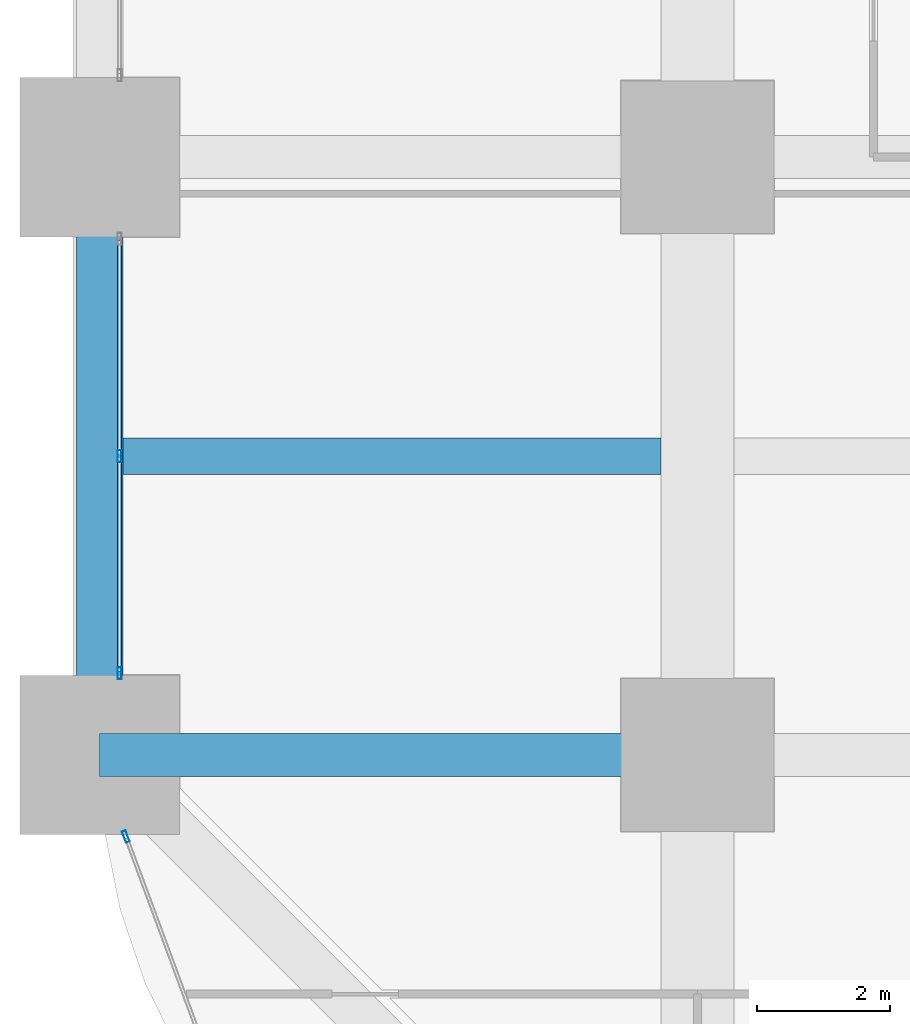
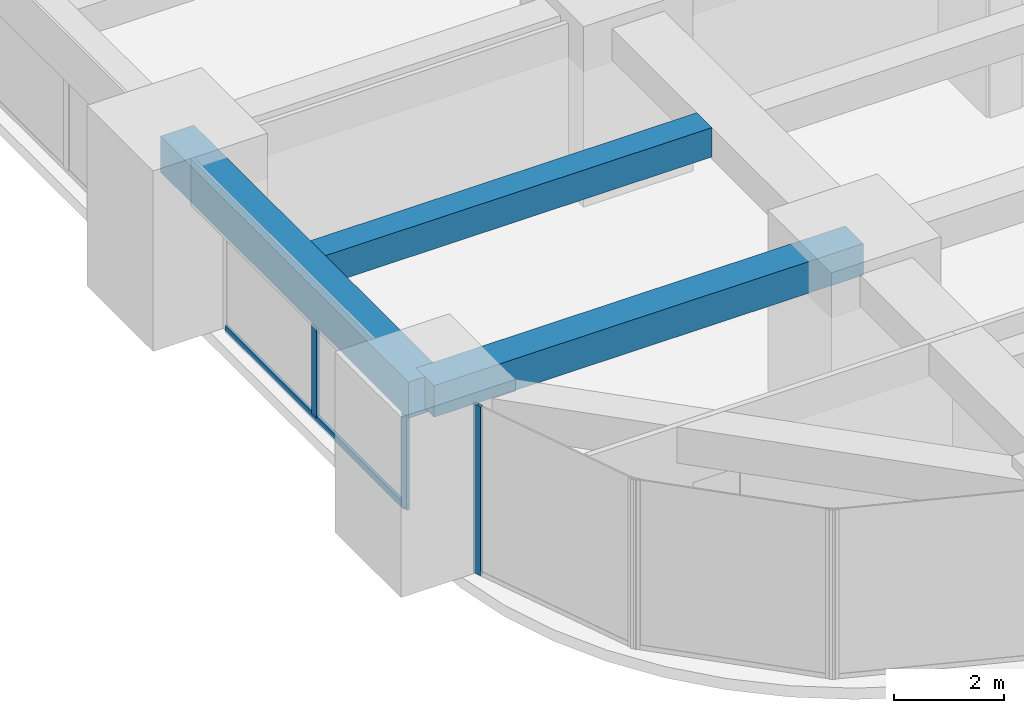
# One storey, part 4 of 45: 4 members, 3 beams, 2 elements without a shape of their own.
"""IFC4 building model written with IfcOpenShell, lengths in metres."""

from ifc_helpers import new_model, si_unit, direction, frame, origin, origin_2d, place, context, subcontext, project, spatial, rectangle, hollow_rectangle, extrude, material, material_profile, profile_set, type_object, element, aggregate, save


model = new_model("IFC4")

# Units and contexts
model_context = context("Model", 3, precision=1e-05, world=origin(), true_north=direction((0.0, 1.0)))
body_context = subcontext(model_context, "Body", "Model", "MODEL_VIEW")
ifc_project = project(units=[si_unit("LENGTHUNIT", "METRE"), si_unit("AREAUNIT", "SQUARE_METRE"), si_unit("VOLUMEUNIT", "CUBIC_METRE"), si_unit("PLANEANGLEUNIT", "RADIAN"), si_unit("MASSUNIT", "GRAM", prefix="KILO")], contexts=[model_context])

# Site, building, storey
site_placement = place(None, origin())
site = spatial("IfcSite", under=ifc_project, at=site_placement, CompositionType="ELEMENT")
building_placement = place(site_placement, origin())
building = spatial("IfcBuilding", under=site, at=building_placement, Name="Zorevar Civic Tower", CompositionType="ELEMENT")
storey_placement = place(building_placement, frame((0.0, 0.0, 47.800048828125)))
storey = spatial("IfcBuildingStorey", under=building, at=storey_placement, Name="L11", CompositionType="ELEMENT", Elevation=47.800048828125)

# Beams
ifc_material_1 = material(Name="Concrete C50/60", Category="concrete")
ifc_material_profile_1 = material_profile(ifc_material_1, rectangle(XDim=0.550048828125, YDim=0.64990234375, at=origin_2d()), Name="RC 550x650")
ifc_profile_set_1 = profile_set([ifc_material_profile_1], Name="Concrete C50/60")
beam_type_1 = type_object("IfcBeamType", Name="Beam RC 550x650", PredefinedType="BEAM", material=ifc_profile_set_1)
beam_1_placement = place(storey_placement, frame((0.35009765625, 13.5, 3.425048828125), z_axis=(1.0, 0.0, 0.0), x_axis=(0.0, 1.0, 0.0)))
element("IfcBeam", 1, at=beam_1_placement, inside=storey, type_object=beam_type_1, Name="Secondary beam L12", PredefinedType="BEAM", context=body_context, shape_type="SweptSolid", body=[
    extrude(rectangle(XDim=0.550048828125, YDim=0.64990234375, at=origin_2d()), origin(), (0.0, 0.0, 1.0), 8.099853515625),
])
ifc_material_2 = material(Name="Concrete C50/60", Category="concrete")
ifc_material_profile_2 = material_profile(ifc_material_2, rectangle(XDim=0.64990234375, YDim=0.699951171875, at=origin_2d()), Name="RC 650x700")
ifc_profile_set_2 = profile_set([ifc_material_profile_2], Name="Concrete C50/60")
beam_type_2 = type_object("IfcBeamType", Name="Beam RC 650x700", PredefinedType="BEAM", material=ifc_profile_set_2)
beam_2_placement = place(storey_placement, frame((0.0, 9.0, 3.39990234375), z_axis=(1.0, 0.0, 0.0), x_axis=(0.0, 1.0, 0.0)))
element("IfcBeam", 2, at=beam_2_placement, inside=storey, type_object=beam_type_2, Name="Girder L12", PredefinedType="BEAM", context=body_context, shape_type="SweptSolid", body=[
    extrude(rectangle(XDim=0.64990234375, YDim=0.699951171875, at=origin_2d()), origin(), (0.0, 0.0, 1.0), 9.0),
])

# Curtain wall, members
ifc_material_3 = material(Name="Dark grey solar-control glass in black aluminium frame", Category="aluminium")
curtain_wall_type = type_object("IfcCurtainWallType", Name="Curtain wall CW2 low zone", PredefinedType="NOTDEFINED", material=ifc_material_3)
curtain_wall_1_placement = place(storey_placement, origin())
curtain_wall_1 = element("IfcCurtainWall", 3, at=curtain_wall_1_placement, inside=storey, type_object=curtain_wall_type, Name="CW2 L11", PredefinedType="NOTDEFINED")
ifc_material_4 = material(Name="Aluminium, black anodised", Category="aluminium")
ifc_material_profile_3 = material_profile(ifc_material_4, hollow_rectangle(XDim=0.06005859375, YDim=0.179931640625, WallThickness=0.00390625, at=origin_2d()), Name="AL 180x60x4")
ifc_profile_set_3 = profile_set([ifc_material_profile_3], Name="Aluminium, black anodised")
member_type_1 = type_object("IfcMemberType", Name="CW2 mullion AL 180x60x4", PredefinedType="MULLION", material=ifc_profile_set_3)
member_1_placement = place(storey_placement, frame((0.300048828125, 10.22998046875, 0.0), z_axis=(0.0, 0.0, 1.0), x_axis=(-1.0, 0.0, 0.0)))
member_1 = element("IfcMember", 4, at=member_1_placement, type_object=member_type_1, Name="CW2 mullion 1", PredefinedType="MULLION", context=body_context, shape_type="SweptSolid", body=[
    extrude(hollow_rectangle(XDim=0.06005859375, YDim=0.179931640625, WallThickness=0.00390625, at=origin_2d()), origin(), (0.0, 0.0, 1.0), 2.949951171875),
])
member_2_placement = place(storey_placement, frame((0.300048828125, 13.5, 0.06005859375), z_axis=(0.0, 0.0, 1.0), x_axis=(-1.0, 0.0, 0.0)))
member_2 = element("IfcMember", 5, at=member_2_placement, type_object=member_type_1, Name="CW2 mullion 2", PredefinedType="MULLION", context=body_context, shape_type="SweptSolid", body=[
    extrude(hollow_rectangle(XDim=0.06005859375, YDim=0.179931640625, WallThickness=0.00390625, at=origin_2d()), origin(), (0.0, 0.0, 1.0), 2.889892578125),
])

# Curtain wall, member
curtain_wall_2_placement = place(storey_placement, origin())
curtain_wall_2 = element("IfcCurtainWall", 6, at=curtain_wall_2_placement, inside=storey, type_object=curtain_wall_type, Name="CW2 L11", PredefinedType="NOTDEFINED")
member_3_placement = place(storey_placement, frame((0.3935546875, 7.77197265625, 0.0), z_axis=(0.0, 0.0, 1.0), x_axis=(0.937974588163, 0.346704012033, 0.0)))
member_3 = element("IfcMember", 7, at=member_3_placement, type_object=member_type_1, Name="CW2 mullion 1", PredefinedType="MULLION", context=body_context, shape_type="SweptSolid", body=[
    extrude(hollow_rectangle(XDim=0.06005859375, YDim=0.179931640625, WallThickness=0.00390625, at=origin_2d()), origin(), (0.0, 0.0, 1.0), 3.75),
])
aggregate(curtain_wall_2, [member_3])

# Member
ifc_material_5 = material(Name="Aluminium, black anodised", Category="aluminium")
ifc_material_profile_4 = material_profile(ifc_material_5, hollow_rectangle(XDim=0.06005859375, YDim=0.14990234375, WallThickness=0.00390625, at=origin_2d()), Name="AL 150x60x4")
ifc_profile_set_4 = profile_set([ifc_material_profile_4], Name="Aluminium, black anodised")
member_type_2 = type_object("IfcMemberType", Name="CW2 transom AL 150x60x4", PredefinedType="USERDEFINED", material=ifc_profile_set_4)
member_4_placement = place(storey_placement, frame((0.300048828125, 10.260009765625, 0.030029296875), z_axis=(0.0, 1.0, 0.0), x_axis=(-1.0, 0.0, 0.0)))
member_4 = element("IfcMember", 8, at=member_4_placement, type_object=member_type_2, Name="CW2 sill transom", ObjectType="TRANSOM", PredefinedType="USERDEFINED", context=body_context, shape_type="SweptSolid", body=[
    extrude(hollow_rectangle(XDim=0.06005859375, YDim=0.14990234375, WallThickness=0.00390625, at=origin_2d()), origin(), (0.0, 0.0, 1.0), 6.47998046875),
])

aggregate(curtain_wall_1, [member_1, member_2, member_4])

# Beam
ifc_material_6 = material(Name="Concrete C50/60", Category="concrete")
ifc_material_profile_5 = material_profile(ifc_material_6, rectangle(XDim=0.699951171875, YDim=0.800048828125, at=origin_2d()), Name="RC 700x800")
ifc_profile_set_5 = profile_set([ifc_material_profile_5], Name="Concrete C50/60")
beam_type_3 = type_object("IfcBeamType", Name="Edge beam RC 700x800", PredefinedType="SPANDREL", material=ifc_profile_set_5)
beam_3_placement = place(storey_placement, frame((0.0, 9.0, 3.349853515625), z_axis=(0.0, 1.0, 0.0), x_axis=(-1.0, 0.0, 0.0)))
element("IfcBeam", 9, at=beam_3_placement, inside=storey, type_object=beam_type_3, Name="Edge beam L12", PredefinedType="SPANDREL", context=body_context, shape_type="SweptSolid", body=[
    extrude(rectangle(XDim=0.699951171875, YDim=0.800048828125, at=origin_2d()), origin(), (0.0, 0.0, 1.0), 9.0),
])

save(model, "model.ifc")
